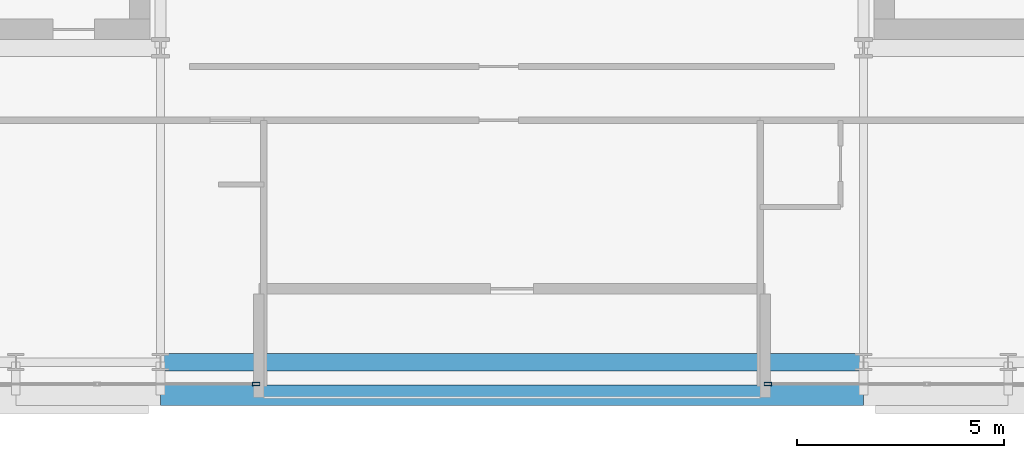
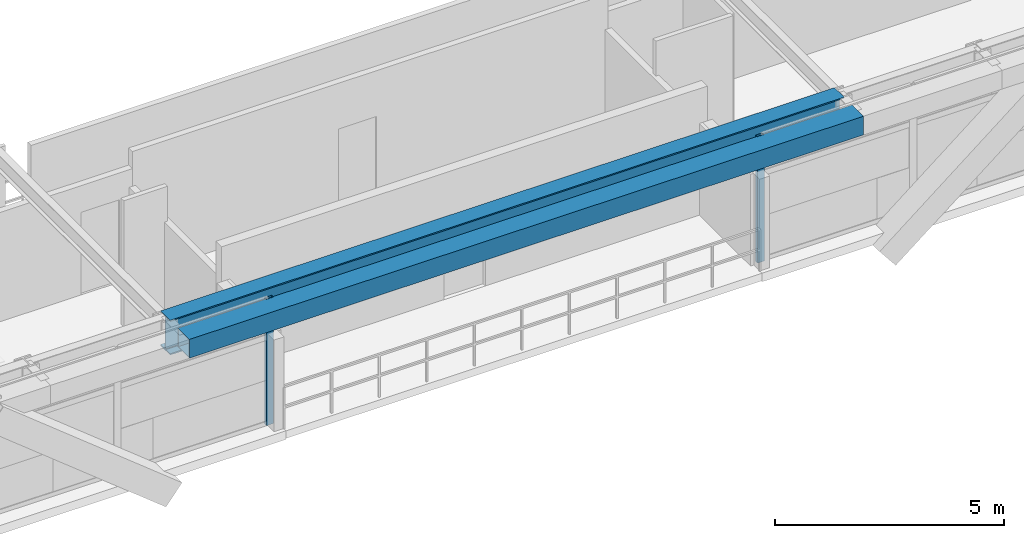
# One storey, part 6 of 30: 2 beams, 2 members, 2 elements without a shape of their own.
"""IFC4 building model written with IfcOpenShell, lengths in metres."""

from ifc_helpers import new_model, si_unit, direction, frame, origin, origin_2d, place, context, subcontext, project, spatial, hollow_rectangle, i_section, extrude, source, transform, mapped, material, layer, layer_set, material_profile, profile_set, type_object, element, aggregate, save


model = new_model("IFC4")

# Units and contexts
model_context = context("Model", 3, precision=1e-05, world=origin(), true_north=direction((0.0, 1.0)))
body_context = subcontext(model_context, "Body", "Model", "MODEL_VIEW")
ifc_project = project(units=[si_unit("LENGTHUNIT", "METRE"), si_unit("AREAUNIT", "SQUARE_METRE"), si_unit("VOLUMEUNIT", "CUBIC_METRE"), si_unit("PLANEANGLEUNIT", "RADIAN"), si_unit("MASSUNIT", "GRAM", prefix="KILO")], contexts=[model_context])

# Site, building, storey
site_placement = place(None, origin())
site = spatial("IfcSite", under=ifc_project, at=site_placement, CompositionType="ELEMENT")
building_placement = place(site_placement, origin())
building = spatial("IfcBuilding", under=site, at=building_placement, Name="Ocotamira Hotel", CompositionType="ELEMENT")
storey_placement = place(building_placement, frame((0.0, 0.0, 195.60009765625)))
storey = spatial("IfcBuildingStorey", under=building, at=storey_placement, Name="L49", CompositionType="ELEMENT", Elevation=195.60009765625)

# Beams
ifc_material_1 = material(Name="Steel ASTM A992 Grade 50", Category="steel")
ifc_material_profile_1 = material_profile(ifc_material_1, i_section(OverallWidth=0.41796875, OverallDepth=0.927001953125, WebThickness=0.019287109375, FlangeThickness=0.031982421875, FilletRadius=0.02392578125, at=origin_2d()), Name="W36X231")
ifc_profile_set_1 = profile_set([ifc_material_profile_1], Name="Steel ASTM A992 Grade 50")
beam_type_1 = type_object("IfcBeamType", Name="BM-GIRD-W36X231", PredefinedType="BEAM", material=ifc_profile_set_1)
shared_shape_1 = source(origin(), body_context, "Body", "SweptSolid", [
    extrude(i_section(OverallWidth=0.41796875, OverallDepth=0.927001953125, WebThickness=0.019287109375, FlangeThickness=0.031982421875, FilletRadius=0.02392578125, at=origin_2d()), origin(), (0.0, 0.0, 1.0), 17.0),
])
beam_1_placement = place(storey_placement, frame((23.5, 6.949951171875, 2.906494140625), z_axis=(1.0, 0.0, 0.0), x_axis=(0.0, 1.0, 0.0)))
element("IfcBeam", 1, at=beam_1_placement, inside=storey, type_object=beam_type_1, Name="L49 Girder Y6.95 X23.5-40.5", PredefinedType="BEAM", context=body_context, shape_type="MappedRepresentation", body=[
    mapped(shared_shape_1, transform((0.0, 0.0, 0.0), scale=1.0)),
])
ifc_material_2 = material(Name="Steel ASTM A500 Grade C", Category="steel")
ifc_material_profile_2 = material_profile(ifc_material_2, hollow_rectangle(XDim=0.5, YDim=0.5, WallThickness=0.02001953125, at=origin_2d()), Name="HSS500X500X20")
ifc_profile_set_2 = profile_set([ifc_material_profile_2], Name="Steel ASTM A500 Grade C")
beam_type_2 = type_object("IfcBeamType", Name="BM-SPAN-HSS500", PredefinedType="USERDEFINED", material=ifc_profile_set_2)
shared_shape_2 = source(origin(), body_context, "Body", "SweptSolid", [
    extrude(hollow_rectangle(XDim=0.5, YDim=0.5, WallThickness=0.02001953125, at=origin_2d()), origin(), (0.0, 0.0, 1.0), 17.0),
])
beam_2_placement = place(storey_placement, frame((23.5, 6.14990234375, 3.119873046875), z_axis=(1.0, 0.0, 0.0), x_axis=(0.0, 1.0, 0.0)))
element("IfcBeam", 2, at=beam_2_placement, inside=storey, type_object=beam_type_2, Name="L49 Edge Spandrel S X23.5-40.5", ObjectType="SPANDREL", PredefinedType="USERDEFINED", context=body_context, shape_type="MappedRepresentation", body=[
    mapped(shared_shape_2, transform((0.0, 0.0, 0.0), scale=1.0)),
])

# Curtain wall, member
ifc_material_3 = material(Name="Anodised pale-metal aluminium and solar glass", Category="aluminium")
ifc_layer = layer(ifc_material_3, 0.199951171875)
ifc_layer_set = layer_set([ifc_layer], Name="Anodised pale-metal aluminium and solar glass")
curtain_wall_type = type_object("IfcCurtainWallType", Name="CW-SYS4-Z3", PredefinedType="NOTDEFINED", material=ifc_layer_set)
curtain_wall_1_placement = place(storey_placement, origin())
curtain_wall_1 = element("IfcCurtainWall", 3, at=curtain_wall_1_placement, inside=storey, type_object=curtain_wall_type, Name="L49 Curtain Wall CW-4 CW-L49-S1", PredefinedType="NOTDEFINED")
ifc_material_4 = material(Name="Anodised pale-metal aluminium 6063-T6", Category="aluminium")
ifc_material_profile_3 = material_profile(ifc_material_4, hollow_rectangle(XDim=0.080078125, YDim=0.179931640625, WallThickness=0.006103515625, at=origin_2d()), Name="HSS180X80X6")
ifc_profile_set_3 = profile_set([ifc_material_profile_3], Name="Anodised pale-metal aluminium 6063-T6")
member_type = type_object("IfcMemberType", Name="CWM-180X75", PredefinedType="MULLION", material=ifc_profile_set_3)
shared_shape_3 = source(origin(), body_context, "Body", "SweptSolid", [
    extrude(hollow_rectangle(XDim=0.080078125, YDim=0.179931640625, WallThickness=0.006103515625, at=origin_2d()), origin(), (0.0, 0.0, 1.0), 3.369873046875),
])
member_1_placement = place(storey_placement, frame((25.81005859375, 6.419921875, 0.0), z_axis=(0.0, 0.0, 1.0), x_axis=(0.0, 1.0, 0.0)))
member_1 = element("IfcMember", 4, at=member_1_placement, type_object=member_type, Name="CW-4 mullion 4", PredefinedType="MULLION", context=body_context, shape_type="MappedRepresentation", body=[
    mapped(shared_shape_3, transform((0.0, 0.0, 0.0), scale=1.0)),
])
aggregate(curtain_wall_1, [member_1])

curtain_wall_2_placement = place(storey_placement, origin())
curtain_wall_2 = element("IfcCurtainWall", 5, at=curtain_wall_2_placement, inside=storey, type_object=curtain_wall_type, Name="L49 Curtain Wall CW-4 CW-L49-S2", PredefinedType="NOTDEFINED")
member_2_placement = place(storey_placement, frame((38.18994140625, 6.419921875, 0.0), z_axis=(0.0, 0.0, 1.0), x_axis=(0.0, 1.0, 0.0)))
member_2 = element("IfcMember", 6, at=member_2_placement, type_object=member_type, Name="CW-4 mullion 1", PredefinedType="MULLION", context=body_context, shape_type="MappedRepresentation", body=[
    mapped(shared_shape_3, transform((0.0, 0.0, 0.0), scale=1.0)),
])
aggregate(curtain_wall_2, [member_2])

save(model, "model.ifc")
